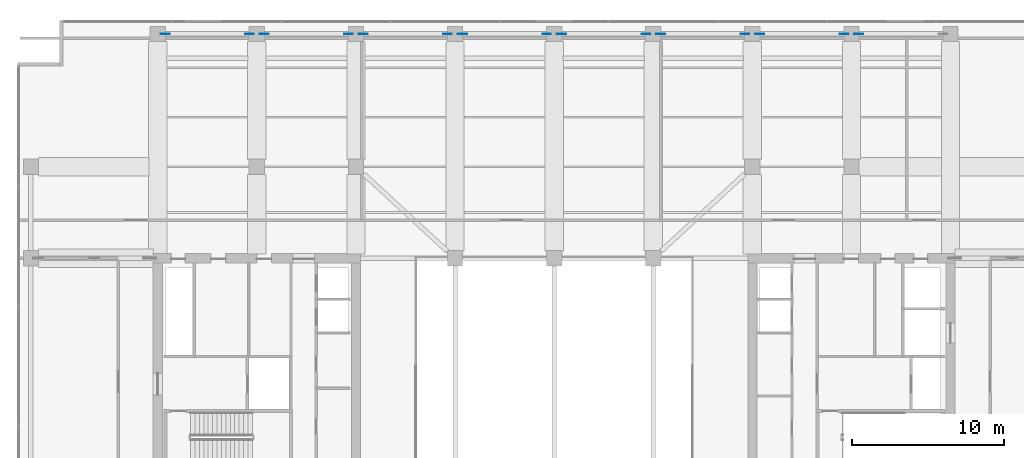
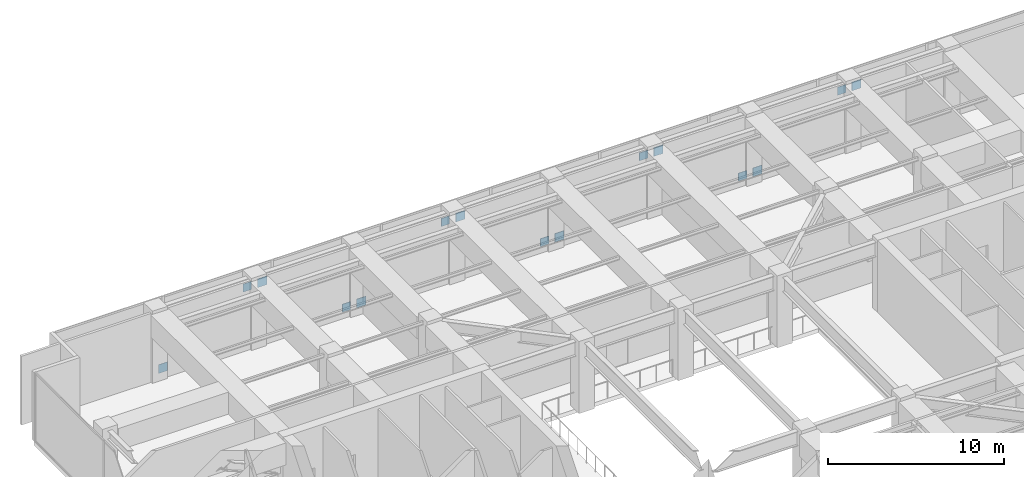
# One storey, part 20 of 28: 15 plates.
"""IFC4 building model written with IfcOpenShell, lengths in metres."""

from ifc_helpers import new_model, si_unit, direction, frame, origin, origin_2d, place, context, subcontext, project, spatial, rectangle, extrude, material, layer, layer_set, type_object, element, save


model = new_model("IFC4")

# Units and contexts
model_context = context("Model", 3, precision=1e-05, world=origin(), true_north=direction((0.0, 1.0)))
body_context = subcontext(model_context, "Body", "Model", "MODEL_VIEW")
ifc_project = project(units=[si_unit("LENGTHUNIT", "METRE"), si_unit("AREAUNIT", "SQUARE_METRE"), si_unit("VOLUMEUNIT", "CUBIC_METRE"), si_unit("PLANEANGLEUNIT", "RADIAN"), si_unit("MASSUNIT", "GRAM", prefix="KILO")], contexts=[model_context])

# Site, building, storey
site_placement = place(None, origin())
site = spatial("IfcSite", under=ifc_project, at=site_placement, CompositionType="ELEMENT")
building_placement = place(site_placement, origin())
building = spatial("IfcBuilding", under=site, at=building_placement, Name="Putna Gate Headquarters", CompositionType="ELEMENT")
storey_placement = place(building_placement, frame((0.0, 0.0, 197.39990234375)))
storey = spatial("IfcBuildingStorey", under=building, at=storey_placement, Name="L49", CompositionType="ELEMENT", Elevation=197.39990234375)

# Plates
ifc_material = material(Name="Steel S460M", Category="steel")
ifc_layer_1 = layer(ifc_material, 0.035888671875)
ifc_layer_set_1 = layer_set([ifc_layer_1], Name="Steel S460M")
plate_type_1 = type_object("IfcPlateType", Name="PLT-NODE-BN1", PredefinedType="SHEET", material=ifc_layer_set_1)
for number, where, z_axis, x_axis, name in (
    (1, (13.485107421875, 47.719970703125, 0.150146484375), (0.0, 0.0, 1.0), (1.0, 0.0, 0.0), "L49 Belt Truss Node Gusset Plate N1-E1"),
    (2, (19.985107421875, 47.719970703125, 3.830078125), (0.0, 0.0, 1.0), (1.0, 0.0, 0.0), "L49 Belt Truss Node Gusset Plate N2-E1"),
    (3, (26.485107421875, 47.719970703125, 0.150146484375), (0.0, 0.0, 1.0), (1.0, 0.0, 0.0), "L49 Belt Truss Node Gusset Plate N3-E1"),
    (4, (32.985107421875, 47.719970703125, 3.830078125), (0.0, 0.0, 1.0), (1.0, 0.0, 0.0), "L49 Belt Truss Node Gusset Plate N4-E1"),
    (5, (39.485107421875, 47.719970703125, 0.150146484375), (0.0, 0.0, 1.0), (1.0, 0.0, 0.0), "L49 Belt Truss Node Gusset Plate N5-E1"),
    (6, (45.985107421875, 47.719970703125, 3.830078125), (0.0, 0.0, 1.0), (1.0, 0.0, 0.0), "L49 Belt Truss Node Gusset Plate N6-E1"),
    (7, (52.485107421875, 47.719970703125, 0.150146484375), (0.0, 0.0, 1.0), (1.0, 0.0, 0.0), "L49 Belt Truss Node Gusset Plate N7-E1"),
    (8, (58.985107421875, 47.719970703125, 3.830078125), (0.0, 0.0, 1.0), (1.0, 0.0, 0.0), "L49 Belt Truss Node Gusset Plate N8-E1"),
):
    element("IfcPlate", number, at=place(storey_placement, frame(where, z_axis=z_axis, x_axis=x_axis)), inside=storey, type_object=plate_type_1, Name=name, PredefinedType="SHEET", context=body_context, shape_type="SweptSolid", body=[
        extrude(rectangle(XDim=0.60009765625, YDim=0.035888671875, at=origin_2d()), origin(), (0.0, 0.0, 1.0), 0.60009765625),
    ])
ifc_layer_2 = layer(ifc_material, 0.035888671875)
ifc_layer_set_2 = layer_set([ifc_layer_2], Name="Steel S460M")
plate_type_2 = type_object("IfcPlateType", Name="PLT-NODE-BN2", PredefinedType="SHEET", material=ifc_layer_set_2)
for number, where, z_axis, x_axis, name in (
    (9, (19.014892578125, 47.719970703125, 3.85498046875), (0.0, 0.0, 1.0), (1.0, 0.0, 0.0), "L49 Belt Truss Node Gusset Plate N1-E2"),
    (10, (25.514892578125, 47.719970703125, 0.17529296875), (0.0, 0.0, 1.0), (1.0, 0.0, 0.0), "L49 Belt Truss Node Gusset Plate N2-E2"),
    (11, (32.014892578125, 47.719970703125, 3.85498046875), (0.0, 0.0, 1.0), (1.0, 0.0, 0.0), "L49 Belt Truss Node Gusset Plate N3-E2"),
    (12, (38.514892578125, 47.719970703125, 0.17529296875), (0.0, 0.0, 1.0), (1.0, 0.0, 0.0), "L49 Belt Truss Node Gusset Plate N4-E2"),
    (13, (45.014892578125, 47.719970703125, 3.85498046875), (0.0, 0.0, 1.0), (1.0, 0.0, 0.0), "L49 Belt Truss Node Gusset Plate N5-E2"),
    (14, (51.514892578125, 47.719970703125, 0.17529296875), (0.0, 0.0, 1.0), (1.0, 0.0, 0.0), "L49 Belt Truss Node Gusset Plate N6-E2"),
    (15, (58.014892578125, 47.719970703125, 3.85498046875), (0.0, 0.0, 1.0), (1.0, 0.0, 0.0), "L49 Belt Truss Node Gusset Plate N7-E2"),
):
    element("IfcPlate", number, at=place(storey_placement, frame(where, z_axis=z_axis, x_axis=x_axis)), inside=storey, type_object=plate_type_2, Name=name, PredefinedType="SHEET", context=body_context, shape_type="SweptSolid", body=[
        extrude(rectangle(XDim=0.550048828125, YDim=0.035888671875, at=origin_2d()), origin(), (0.0, 0.0, 1.0), 0.550048828125),
    ])

save(model, "model.ifc")
